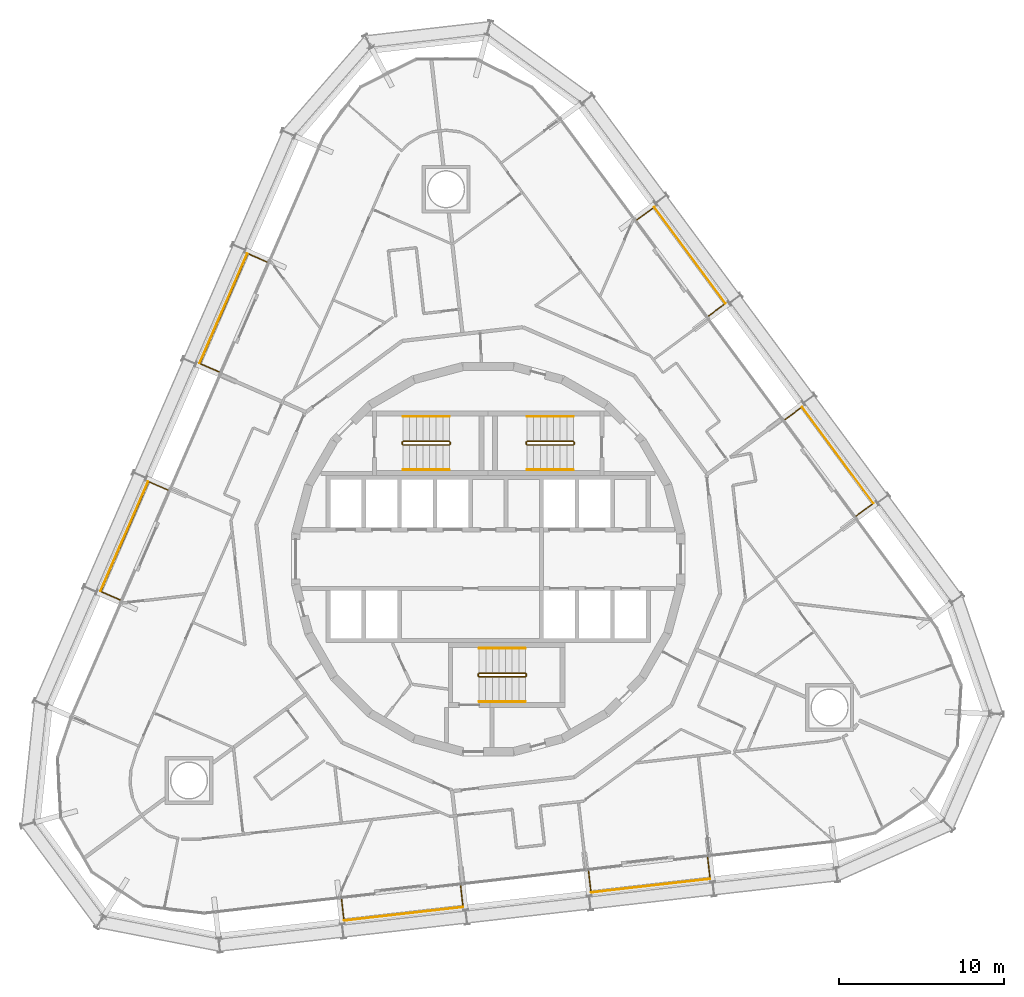
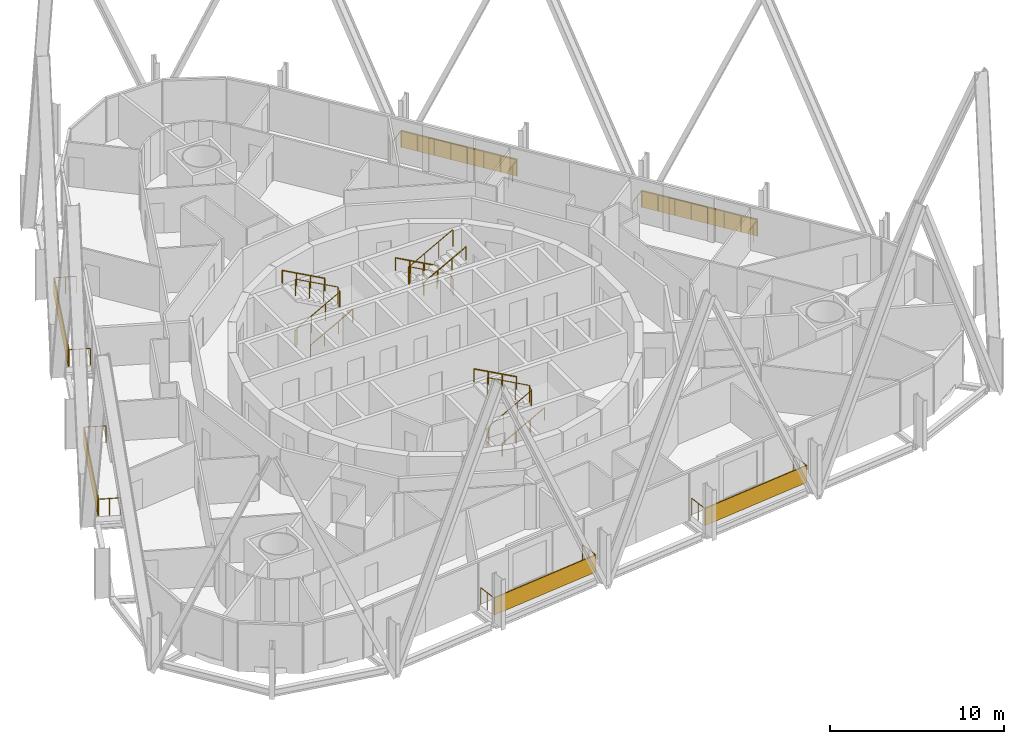
# One storey, part 23 of 23: 15 railings, 6 shading devices.
"""IFC4 building model written with IfcOpenShell, lengths in metres."""

from ifc_helpers import new_model, si_unit, direction, frame, origin, origin_2d, place, context, subcontext, project, spatial, rectangle, circle, extrude, material, layer, layer_set, type_object, element, save


model = new_model("IFC4")

# Units and contexts
model_context = context("Model", 3, precision=1e-05, world=origin(), true_north=direction((0.0, 1.0)))
body_context = subcontext(model_context, "Body", "Model", "MODEL_VIEW")
ifc_project = project(units=[si_unit("LENGTHUNIT", "METRE"), si_unit("AREAUNIT", "SQUARE_METRE"), si_unit("VOLUMEUNIT", "CUBIC_METRE"), si_unit("PLANEANGLEUNIT", "RADIAN"), si_unit("MASSUNIT", "GRAM", prefix="KILO")], contexts=[model_context])

# Site, building, storey
site_placement = place(None, origin())
site = spatial("IfcSite", under=ifc_project, at=site_placement, CompositionType="ELEMENT")
building_placement = place(site_placement, origin())
building = spatial("IfcBuilding", under=site, at=building_placement, Name="Spindle Arch Residences", CompositionType="ELEMENT")
storey_placement = place(building_placement, frame((0.0, 0.0, 90.699951171875)))
storey = spatial("IfcBuildingStorey", under=building, at=storey_placement, Name="L21", CompositionType="ELEMENT", Elevation=90.699951171875)

# Railings
ifc_material_1 = material(Name="Bronze anodised aluminium guard with glass infill", Category="aluminium")
railing_type_1 = type_object("IfcRailingType", Name="Balcony guard 1200", PredefinedType="GUARDRAIL", material=ifc_material_1)
railing_1_placement = place(storey_placement, frame((6.07080078125, -18.881591796875, 0.0)))
element("IfcRailing", 1, at=railing_1_placement, inside=storey, type_object=railing_type_1, Name="Guard L21 bay 1", PredefinedType="GUARDRAIL", context=body_context, shape_type="SweptSolid", body=[
    extrude(circle(Radius=0.02392578125, at=origin_2d()), frame((0.0, 0.0, 1.17578125), z_axis=(0.11328218126, -0.993562855289, 0.0), x_axis=(0.993562855289, 0.11328218126, 0.0)), (0.0, 0.0, 1.0), 1.25),
    extrude(circle(Radius=0.02392578125, at=origin_2d()), frame((0.1416015625, -1.241943359375, 1.17578125), z_axis=(0.993572236179, 0.113199874095, 0.0), x_axis=(-0.113199874095, 0.993572236179, 0.0)), (0.0, 0.0, 1.0), 7.248779296875),
    extrude(circle(Radius=0.02392578125, at=origin_2d()), frame((7.34375, -0.42138671875, 1.17578125), z_axis=(-0.113089367196, 0.993584820248, 0.0), x_axis=(-0.993584820248, -0.113089367196, 0.0)), (0.0, 0.0, 1.0), 1.25),
    extrude(circle(Radius=0.02099609375, at=origin_2d()), origin(), (0.0, 0.0, 1.0), 1.15185546875),
    extrude(circle(Radius=0.02099609375, at=origin_2d()), frame((0.07080078125, -0.62109375, 0.0)), (0.0, 0.0, 1.0), 1.15185546875),
    extrude(circle(Radius=0.02099609375, at=origin_2d()), frame((0.1416015625, -1.241943359375, 0.0)), (0.0, 0.0, 1.0), 1.15185546875),
    extrude(circle(Radius=0.02099609375, at=origin_2d()), frame((1.17041015625, -1.124755859375, 0.0)), (0.0, 0.0, 1.0), 1.15185546875),
    extrude(circle(Radius=0.02099609375, at=origin_2d()), frame((2.199462890625, -1.007568359375, 0.0)), (0.0, 0.0, 1.0), 1.15185546875),
    extrude(circle(Radius=0.02099609375, at=origin_2d()), frame((3.228271484375, -0.890380859375, 0.0)), (0.0, 0.0, 1.0), 1.15185546875),
    extrude(circle(Radius=0.02099609375, at=origin_2d()), frame((4.257080078125, -0.77294921875, 0.0)), (0.0, 0.0, 1.0), 1.15185546875),
    extrude(circle(Radius=0.02099609375, at=origin_2d()), frame((5.285888671875, -0.65576171875, 0.0)), (0.0, 0.0, 1.0), 1.15185546875),
    extrude(circle(Radius=0.02099609375, at=origin_2d()), frame((6.31494140625, -0.53857421875, 0.0)), (0.0, 0.0, 1.0), 1.15185546875),
    extrude(circle(Radius=0.02099609375, at=origin_2d()), frame((7.34375, -0.42138671875, 0.0)), (0.0, 0.0, 1.0), 1.15185546875),
    extrude(circle(Radius=0.02099609375, at=origin_2d()), frame((7.27294921875, 0.19970703125, 0.0)), (0.0, 0.0, 1.0), 1.15185546875),
    extrude(circle(Radius=0.02099609375, at=origin_2d()), frame((7.202392578125, 0.820556640625, 0.0)), (0.0, 0.0, 1.0), 1.15185546875),
])
railing_2_placement = place(storey_placement, frame((22.26123046875, 2.6103515625, 0.0)))
element("IfcRailing", 2, at=railing_2_placement, inside=storey, type_object=railing_type_1, Name="Guard L21 bay 7", PredefinedType="GUARDRAIL", context=body_context, shape_type="SweptSolid", body=[
    extrude(circle(Radius=0.02392578125, at=origin_2d()), frame((0.0, 0.0, 1.17578125), z_axis=(0.803920341668, 0.594736987459, 0.0), x_axis=(-0.594736987459, 0.803920341668, 0.0)), (0.0, 0.0, 1.0), 1.25),
    extrude(circle(Radius=0.02392578125, at=origin_2d()), frame((1.0048828125, 0.743408203125, 1.17578125), z_axis=(-0.594814278624, 0.803863156231, 0.0), x_axis=(-0.803863156231, -0.594814278624, 0.0)), (0.0, 0.0, 1.0), 7.2490234375),
    extrude(circle(Radius=0.02392578125, at=origin_2d()), frame((-3.306884765625, 6.570556640625, 1.17578125), z_axis=(-0.803826957932, -0.594863195787, 0.0), x_axis=(0.594863195787, -0.803826957932, 0.0)), (0.0, 0.0, 1.0), 1.250244140625),
    extrude(circle(Radius=0.02099609375, at=origin_2d()), origin(), (0.0, 0.0, 1.0), 1.15185546875),
    extrude(circle(Radius=0.02099609375, at=origin_2d()), frame((0.50244140625, 0.37158203125, 0.0)), (0.0, 0.0, 1.0), 1.15185546875),
    extrude(circle(Radius=0.02099609375, at=origin_2d()), frame((1.0048828125, 0.743408203125, 0.0)), (0.0, 0.0, 1.0), 1.15185546875),
    extrude(circle(Radius=0.02099609375, at=origin_2d()), frame((0.388916015625, 1.575927734375, 0.0)), (0.0, 0.0, 1.0), 1.15185546875),
    extrude(circle(Radius=0.02099609375, at=origin_2d()), frame((-0.22705078125, 2.408203125, 0.0)), (0.0, 0.0, 1.0), 1.15185546875),
    extrude(circle(Radius=0.02099609375, at=origin_2d()), frame((-0.843017578125, 3.24072265625, 0.0)), (0.0, 0.0, 1.0), 1.15185546875),
    extrude(circle(Radius=0.02099609375, at=origin_2d()), frame((-1.458984375, 4.0732421875, 0.0)), (0.0, 0.0, 1.0), 1.15185546875),
    extrude(circle(Radius=0.02099609375, at=origin_2d()), frame((-2.074951171875, 4.90576171875, 0.0)), (0.0, 0.0, 1.0), 1.15185546875),
    extrude(circle(Radius=0.02099609375, at=origin_2d()), frame((-2.69091796875, 5.738037109375, 0.0)), (0.0, 0.0, 1.0), 1.15185546875),
    extrude(circle(Radius=0.02099609375, at=origin_2d()), frame((-3.306884765625, 6.570556640625, 0.0)), (0.0, 0.0, 1.0), 1.15185546875),
    extrude(circle(Radius=0.02099609375, at=origin_2d()), frame((-3.809326171875, 6.19873046875, 0.0)), (0.0, 0.0, 1.0), 1.15185546875),
    extrude(circle(Radius=0.02099609375, at=origin_2d()), frame((-4.311767578125, 5.826904296875, 0.0)), (0.0, 0.0, 1.0), 1.15185546875),
])
railing_3_placement = place(storey_placement, frame((13.316650390625, 14.698486328125, 0.0)))
element("IfcRailing", 3, at=railing_3_placement, inside=storey, type_object=railing_type_1, Name="Guard L21 bay 9", PredefinedType="GUARDRAIL", context=body_context, shape_type="SweptSolid", body=[
    extrude(circle(Radius=0.02392578125, at=origin_2d()), frame((0.0, 0.0, 1.17578125), z_axis=(0.803851239792, 0.594830382786, 0.0), x_axis=(-0.594830382786, 0.803851239792, 0.0)), (0.0, 0.0, 1.0), 1.249755859375),
    extrude(circle(Radius=0.02392578125, at=origin_2d()), frame((1.004638671875, 0.743408203125, 1.17578125), z_axis=(-0.594830382786, 0.803851239792, 0.0), x_axis=(-0.803851239792, -0.594830382786, 0.0)), (0.0, 0.0, 1.0), 7.248779296875),
    extrude(circle(Radius=0.02392578125, at=origin_2d()), frame((-3.30712890625, 6.5703125, 1.17578125), z_axis=(-0.803851239792, -0.594830382786, 0.0), x_axis=(0.594830382786, -0.803851239792, 0.0)), (0.0, 0.0, 1.0), 1.249755859375),
    extrude(circle(Radius=0.02099609375, at=origin_2d()), origin(), (0.0, 0.0, 1.0), 1.15185546875),
    extrude(circle(Radius=0.02099609375, at=origin_2d()), frame((0.50244140625, 0.37158203125, 0.0)), (0.0, 0.0, 1.0), 1.15185546875),
    extrude(circle(Radius=0.02099609375, at=origin_2d()), frame((1.004638671875, 0.743408203125, 0.0)), (0.0, 0.0, 1.0), 1.15185546875),
    extrude(circle(Radius=0.02099609375, at=origin_2d()), frame((0.388671875, 1.575927734375, 0.0)), (0.0, 0.0, 1.0), 1.15185546875),
    extrude(circle(Radius=0.02099609375, at=origin_2d()), frame((-0.227294921875, 2.408203125, 0.0)), (0.0, 0.0, 1.0), 1.15185546875),
    extrude(circle(Radius=0.02099609375, at=origin_2d()), frame((-0.84326171875, 3.24072265625, 0.0)), (0.0, 0.0, 1.0), 1.15185546875),
    extrude(circle(Radius=0.02099609375, at=origin_2d()), frame((-1.459228515625, 4.072998046875, 0.0)), (0.0, 0.0, 1.0), 1.15185546875),
    extrude(circle(Radius=0.02099609375, at=origin_2d()), frame((-2.0751953125, 4.905517578125, 0.0)), (0.0, 0.0, 1.0), 1.15185546875),
    extrude(circle(Radius=0.02099609375, at=origin_2d()), frame((-2.691162109375, 5.73779296875, 0.0)), (0.0, 0.0, 1.0), 1.15185546875),
    extrude(circle(Radius=0.02099609375, at=origin_2d()), frame((-3.30712890625, 6.5703125, 0.0)), (0.0, 0.0, 1.0), 1.15185546875),
    extrude(circle(Radius=0.02099609375, at=origin_2d()), frame((-3.8095703125, 6.19873046875, 0.0)), (0.0, 0.0, 1.0), 1.15185546875),
    extrude(circle(Radius=0.02099609375, at=origin_2d()), frame((-4.311767578125, 5.826904296875, 0.0)), (0.0, 0.0, 1.0), 1.15185546875),
])
railing_4_placement = place(storey_placement, frame((-13.39111328125, 17.9736328125, 0.0)))
element("IfcRailing", 4, at=railing_4_placement, inside=storey, type_object=railing_type_1, Name="Guard L21 bay 15", PredefinedType="GUARDRAIL", context=body_context, shape_type="SweptSolid", body=[
    extrude(circle(Radius=0.02392578125, at=origin_2d()), frame((0.0, 0.0, 1.17578125), z_axis=(-0.917051427253, 0.398768955377, 0.0), x_axis=(-0.398768955377, -0.917051427253, 0.0)), (0.0, 0.0, 1.0), 1.250244140625),
    extrude(circle(Radius=0.02392578125, at=origin_2d()), frame((-1.146484375, 0.49853515625, 1.17578125), z_axis=(-0.398734732131, -0.917066308067, 0.0), x_axis=(0.917066308067, -0.398734732131, 0.0)), (0.0, 0.0, 1.0), 7.248779296875),
    extrude(circle(Radius=0.02392578125, at=origin_2d()), frame((-4.036865234375, -6.149169921875, 1.17578125), z_axis=(0.917091793142, -0.398676112844, 0.0), x_axis=(0.398676112844, 0.917091793142, 0.0)), (0.0, 0.0, 1.0), 1.249755859375),
    extrude(circle(Radius=0.02099609375, at=origin_2d()), origin(), (0.0, 0.0, 1.0), 1.15185546875),
    extrude(circle(Radius=0.02099609375, at=origin_2d()), frame((-0.5732421875, 0.249267578125, 0.0)), (0.0, 0.0, 1.0), 1.15185546875),
    extrude(circle(Radius=0.02099609375, at=origin_2d()), frame((-1.146484375, 0.49853515625, 0.0)), (0.0, 0.0, 1.0), 1.15185546875),
    extrude(circle(Radius=0.02099609375, at=origin_2d()), frame((-1.559326171875, -0.451171875, 0.0)), (0.0, 0.0, 1.0), 1.15185546875),
    extrude(circle(Radius=0.02099609375, at=origin_2d()), frame((-1.972412109375, -1.40087890625, 0.0)), (0.0, 0.0, 1.0), 1.15185546875),
    extrude(circle(Radius=0.02099609375, at=origin_2d()), frame((-2.38525390625, -2.3505859375, 0.0)), (0.0, 0.0, 1.0), 1.15185546875),
    extrude(circle(Radius=0.02099609375, at=origin_2d()), frame((-2.798095703125, -3.300048828125, 0.0)), (0.0, 0.0, 1.0), 1.15185546875),
    extrude(circle(Radius=0.02099609375, at=origin_2d()), frame((-3.2109375, -4.249755859375, 0.0)), (0.0, 0.0, 1.0), 1.15185546875),
    extrude(circle(Radius=0.02099609375, at=origin_2d()), frame((-3.6240234375, -5.199462890625, 0.0)), (0.0, 0.0, 1.0), 1.15185546875),
    extrude(circle(Radius=0.02099609375, at=origin_2d()), frame((-4.036865234375, -6.149169921875, 0.0)), (0.0, 0.0, 1.0), 1.15185546875),
    extrude(circle(Radius=0.02099609375, at=origin_2d()), frame((-3.4638671875, -6.3984375, 0.0)), (0.0, 0.0, 1.0), 1.15185546875),
    extrude(circle(Radius=0.02099609375, at=origin_2d()), frame((-2.890625, -6.6474609375, 0.0)), (0.0, 0.0, 1.0), 1.15185546875),
])
railing_5_placement = place(storey_placement, frame((-19.387451171875, 4.183349609375, 0.0)))
element("IfcRailing", 5, at=railing_5_placement, inside=storey, type_object=railing_type_1, Name="Guard L21 bay 17", PredefinedType="GUARDRAIL", context=body_context, shape_type="SweptSolid", body=[
    extrude(circle(Radius=0.02392578125, at=origin_2d()), frame((0.0, 0.0, 1.17578125), z_axis=(-0.917091793142, 0.398676112844, 0.0), x_axis=(-0.398676112844, -0.917091793142, 0.0)), (0.0, 0.0, 1.0), 1.249755859375),
    extrude(circle(Radius=0.02392578125, at=origin_2d()), frame((-1.146240234375, 0.498291015625, 1.17578125), z_axis=(-0.39877537304, -0.917048636582, 0.0), x_axis=(0.917048636582, -0.39877537304, 0.0)), (0.0, 0.0, 1.0), 7.248779296875),
    extrude(circle(Radius=0.02392578125, at=origin_2d()), frame((-4.036865234375, -6.149169921875, 1.17578125), z_axis=(0.917051427253, -0.398768955377, 0.0), x_axis=(0.398768955377, 0.917051427253, 0.0)), (0.0, 0.0, 1.0), 1.250244140625),
    extrude(circle(Radius=0.02099609375, at=origin_2d()), origin(), (0.0, 0.0, 1.0), 1.15185546875),
    extrude(circle(Radius=0.02099609375, at=origin_2d()), frame((-0.5732421875, 0.2490234375, 0.0)), (0.0, 0.0, 1.0), 1.15185546875),
    extrude(circle(Radius=0.02099609375, at=origin_2d()), frame((-1.146240234375, 0.498291015625, 0.0)), (0.0, 0.0, 1.0), 1.15185546875),
    extrude(circle(Radius=0.02099609375, at=origin_2d()), frame((-1.55908203125, -0.451416015625, 0.0)), (0.0, 0.0, 1.0), 1.15185546875),
    extrude(circle(Radius=0.02099609375, at=origin_2d()), frame((-1.97216796875, -1.40087890625, 0.0)), (0.0, 0.0, 1.0), 1.15185546875),
    extrude(circle(Radius=0.02099609375, at=origin_2d()), frame((-2.385009765625, -2.3505859375, 0.0)), (0.0, 0.0, 1.0), 1.15185546875),
    extrude(circle(Radius=0.02099609375, at=origin_2d()), frame((-2.798095703125, -3.30029296875, 0.0)), (0.0, 0.0, 1.0), 1.15185546875),
    extrude(circle(Radius=0.02099609375, at=origin_2d()), frame((-3.2109375, -4.25, 0.0)), (0.0, 0.0, 1.0), 1.15185546875),
    extrude(circle(Radius=0.02099609375, at=origin_2d()), frame((-3.6240234375, -5.199462890625, 0.0)), (0.0, 0.0, 1.0), 1.15185546875),
    extrude(circle(Radius=0.02099609375, at=origin_2d()), frame((-4.036865234375, -6.149169921875, 0.0)), (0.0, 0.0, 1.0), 1.15185546875),
    extrude(circle(Radius=0.02099609375, at=origin_2d()), frame((-3.463623046875, -6.3984375, 0.0)), (0.0, 0.0, 1.0), 1.15185546875),
    extrude(circle(Radius=0.02099609375, at=origin_2d()), frame((-2.890380859375, -6.647705078125, 0.0)), (0.0, 0.0, 1.0), 1.15185546875),
])
railing_6_placement = place(storey_placement, frame((-8.8701171875, -20.583984375, 0.0)))
element("IfcRailing", 6, at=railing_6_placement, inside=storey, type_object=railing_type_1, Name="Guard L21 bay 23", PredefinedType="GUARDRAIL", context=body_context, shape_type="SweptSolid", body=[
    extrude(circle(Radius=0.02392578125, at=origin_2d()), frame((0.0, 0.0, 1.17578125), z_axis=(0.11328218126, -0.993562855289, 0.0), x_axis=(0.993562855289, 0.11328218126, 0.0)), (0.0, 0.0, 1.0), 1.25),
    extrude(circle(Radius=0.02392578125, at=origin_2d()), frame((0.1416015625, -1.241943359375, 1.17578125), z_axis=(0.993572236179, 0.113199874095, 0.0), x_axis=(-0.113199874095, 0.993572236179, 0.0)), (0.0, 0.0, 1.0), 7.248779296875),
    extrude(circle(Radius=0.02392578125, at=origin_2d()), frame((7.34375, -0.42138671875, 1.17578125), z_axis=(-0.11328218126, 0.993562855289, 0.0), x_axis=(-0.993562855289, -0.11328218126, 0.0)), (0.0, 0.0, 1.0), 1.25),
    extrude(circle(Radius=0.02099609375, at=origin_2d()), origin(), (0.0, 0.0, 1.0), 1.15185546875),
    extrude(circle(Radius=0.02099609375, at=origin_2d()), frame((0.07080078125, -0.62109375, 0.0)), (0.0, 0.0, 1.0), 1.15185546875),
    extrude(circle(Radius=0.02099609375, at=origin_2d()), frame((0.1416015625, -1.241943359375, 0.0)), (0.0, 0.0, 1.0), 1.15185546875),
    extrude(circle(Radius=0.02099609375, at=origin_2d()), frame((1.17041015625, -1.124755859375, 0.0)), (0.0, 0.0, 1.0), 1.15185546875),
    extrude(circle(Radius=0.02099609375, at=origin_2d()), frame((2.199462890625, -1.007568359375, 0.0)), (0.0, 0.0, 1.0), 1.15185546875),
    extrude(circle(Radius=0.02099609375, at=origin_2d()), frame((3.228271484375, -0.890380859375, 0.0)), (0.0, 0.0, 1.0), 1.15185546875),
    extrude(circle(Radius=0.02099609375, at=origin_2d()), frame((4.257080078125, -0.77294921875, 0.0)), (0.0, 0.0, 1.0), 1.15185546875),
    extrude(circle(Radius=0.02099609375, at=origin_2d()), frame((5.285888671875, -0.65576171875, 0.0)), (0.0, 0.0, 1.0), 1.15185546875),
    extrude(circle(Radius=0.02099609375, at=origin_2d()), frame((6.31494140625, -0.53857421875, 0.0)), (0.0, 0.0, 1.0), 1.15185546875),
    extrude(circle(Radius=0.02099609375, at=origin_2d()), frame((7.34375, -0.42138671875, 0.0)), (0.0, 0.0, 1.0), 1.15185546875),
    extrude(circle(Radius=0.02099609375, at=origin_2d()), frame((7.27294921875, 0.19970703125, 0.0)), (0.0, 0.0, 1.0), 1.15185546875),
    extrude(circle(Radius=0.02099609375, at=origin_2d()), frame((7.2021484375, 0.820556640625, 0.0)), (0.0, 0.0, 1.0), 1.15185546875),
])

# Shading devices
ifc_material_2 = material(Name="Bronze perforated cobogo screen")
ifc_layer = layer(ifc_material_2, 0.0390625)
ifc_layer_set = layer_set([ifc_layer], Name="Cobogo screen 1200")
shading_device_type = type_object("IfcShadingDeviceType", Name="Cobogo screen 1200", PredefinedType="USERDEFINED", material=ifc_layer_set)
for number, where, z_axis, x_axis, name in (
    (7, (9.818115234375, -19.753662109375, 0.0), (0.0, 0.0, 1.0), (0.993571855677, 0.113203213768, 0.0), "Cobogo screen L21 bay 1"),
    (8, (21.142822265625, 6.29150390625, 0.0), (0.0, 0.0, 1.0), (-0.594822786751, 0.803856860617, 0.0), "Cobogo screen L21 bay 7"),
    (9, (12.197998046875, 18.37939453125, 0.0), (0.0, 0.0, 1.0), (-0.594822786751, 0.803856860617, 0.0), "Cobogo screen L21 bay 9"),
    (10, (-16.019775390625, 15.16455078125, 0.0), (0.0, 0.0, 1.0), (-0.398749068925, -0.917060074385, 0.0), "Cobogo screen L21 bay 15"),
    (11, (-22.01611328125, 1.3740234375, 0.0), (0.0, 0.0, 1.0), (-0.398749068925, -0.917060074385, 0.0), "Cobogo screen L21 bay 17"),
    (12, (-5.122802734375, -21.455810546875, 0.0), (0.0, 0.0, 1.0), (0.993571855677, 0.113203213768, 0.0), "Cobogo screen L21 bay 23"),
):
    element("IfcShadingDevice", number, at=place(storey_placement, frame(where, z_axis=z_axis, x_axis=x_axis)), inside=storey, type_object=shading_device_type, Name=name, ObjectType="SCREEN", PredefinedType="USERDEFINED", context=body_context, shape_type="SweptSolid", body=[
        extrude(rectangle(XDim=7.248779296875, YDim=0.0390625, at=origin_2d()), origin(), (0.0, 0.0, 1.0), 1.199951171875),
    ])

# Railings
ifc_material_3 = material(Name="Steel, painted", Category="steel")
railing_type_2 = type_object("IfcRailingType", Name="Stair guard 1100", PredefinedType="GUARDRAIL", material=ifc_material_3)
railing_7_placement = place(storey_placement, frame((5.14990234375, 6.89990234375, 3.5)))
element("IfcRailing", 13, at=railing_7_placement, inside=storey, type_object=railing_type_2, Name="L21 ST1 stair guard 1", PredefinedType="GUARDRAIL", context=body_context, shape_type="SweptSolid", body=[
    extrude(circle(Radius=0.02392578125, at=origin_2d()), frame((0.0, 0.0, 1.17578125), z_axis=(-0.877357048833, 0.0, -0.479838106931), x_axis=(0.0, -1.0, 0.0)), (0.0, 0.0, 1.0), 3.191162109375),
    extrude(circle(Radius=0.02392578125, at=origin_2d()), frame((-2.7998046875, 0.0, -0.35546875), z_axis=(-0.217683172539, 0.217683172539, -0.951434744366), x_axis=(-0.707106781187, -0.707106781187, 0.0)), (0.0, 0.0, 1.0), 0.22998046875),
    extrude(circle(Radius=0.02392578125, at=origin_2d()), frame((-2.849853515625, 0.050048828125, -0.57421875), z_axis=(0.0, 1.0, 0.0), x_axis=(-1.0, 0.0, 0.0)), (0.0, 0.0, 1.0), 0.1201171875),
    extrude(circle(Radius=0.02392578125, at=origin_2d()), frame((-2.849853515625, 0.170166015625, -0.57421875), z_axis=(0.707106781187, 0.707106781187, 0.0), x_axis=(-0.707106781187, 0.707106781187, 0.0)), (0.0, 0.0, 1.0), 0.07080078125),
    extrude(circle(Radius=0.02392578125, at=origin_2d()), frame((-2.7998046875, 0.22021484375, -0.57421875), z_axis=(0.877357048833, 0.0, -0.479838106931), x_axis=(0.0, 1.0, 0.0)), (0.0, 0.0, 1.0), 3.191162109375),
    extrude(circle(Radius=0.02392578125, at=origin_2d()), frame((0.0, 0.22021484375, -2.10546875), z_axis=(0.217683172539, -0.217683172539, -0.951434744366), x_axis=(0.707106781187, 0.707106781187, 0.0)), (0.0, 0.0, 1.0), 0.22998046875),
    extrude(circle(Radius=0.02392578125, at=origin_2d()), frame((0.050048828125, 0.170166015625, -2.32421875), z_axis=(0.0, -1.0, 0.0), x_axis=(1.0, 0.0, 0.0)), (0.0, 0.0, 1.0), 0.1201171875),
    extrude(circle(Radius=0.02099609375, at=origin_2d()), origin(), (0.0, 0.0, 1.0), 1.15185546875),
    extrude(circle(Radius=0.02099609375, at=origin_2d()), frame((-0.933349609375, 0.0, -0.510498046875)), (0.0, 0.0, 1.0), 1.15185546875),
    extrude(circle(Radius=0.02099609375, at=origin_2d()), frame((-1.866455078125, 0.0, -1.020751953125)), (0.0, 0.0, 1.0), 1.15185546875),
    extrude(circle(Radius=0.02099609375, at=origin_2d()), frame((-2.7998046875, 0.0, -1.53125)), (0.0, 0.0, 1.0), 1.15185546875),
    extrude(circle(Radius=0.02099609375, at=origin_2d()), frame((-2.849853515625, 0.050048828125, -1.75)), (0.0, 0.0, 1.0), 1.15185546875),
    extrude(circle(Radius=0.02099609375, at=origin_2d()), frame((-2.849853515625, 0.170166015625, -1.75)), (0.0, 0.0, 1.0), 1.15185546875),
    extrude(circle(Radius=0.02099609375, at=origin_2d()), frame((-2.7998046875, 0.22021484375, -1.75)), (0.0, 0.0, 1.0), 1.15185546875),
    extrude(circle(Radius=0.02099609375, at=origin_2d()), frame((-1.866455078125, 0.22021484375, -2.260498046875)), (0.0, 0.0, 1.0), 1.15185546875),
    extrude(circle(Radius=0.02099609375, at=origin_2d()), frame((-0.933349609375, 0.22021484375, -2.770751953125)), (0.0, 0.0, 1.0), 1.15185546875),
    extrude(circle(Radius=0.02099609375, at=origin_2d()), frame((0.0, 0.22021484375, -3.28125)), (0.0, 0.0, 1.0), 1.15185546875),
    extrude(circle(Radius=0.02099609375, at=origin_2d()), frame((0.050048828125, 0.170166015625, -3.5)), (0.0, 0.0, 1.0), 1.15185546875),
    extrude(circle(Radius=0.02099609375, at=origin_2d()), frame((0.050048828125, 0.050048828125, -3.5)), (0.0, 0.0, 1.0), 1.15185546875),
])
railing_8_placement = place(storey_placement, frame((-5.14990234375, 7.1201171875, 3.5)))
element("IfcRailing", 14, at=railing_8_placement, inside=storey, type_object=railing_type_2, Name="L21 ST2 stair guard 1", PredefinedType="GUARDRAIL", context=body_context, shape_type="SweptSolid", body=[
    extrude(circle(Radius=0.02392578125, at=origin_2d()), frame((0.0, 0.0, 1.17578125), z_axis=(0.877357048833, 0.0, -0.479838106931), x_axis=(0.0, 1.0, 0.0)), (0.0, 0.0, 1.0), 3.191162109375),
    extrude(circle(Radius=0.02392578125, at=origin_2d()), frame((2.7998046875, 0.0, -0.35546875), z_axis=(0.217683172539, -0.217683172539, -0.951434744366), x_axis=(0.707106781187, 0.707106781187, 0.0)), (0.0, 0.0, 1.0), 0.22998046875),
    extrude(circle(Radius=0.02392578125, at=origin_2d()), frame((2.849853515625, -0.050048828125, -0.57421875), z_axis=(0.0, -1.0, 0.0), x_axis=(1.0, 0.0, 0.0)), (0.0, 0.0, 1.0), 0.1201171875),
    extrude(circle(Radius=0.02392578125, at=origin_2d()), frame((2.849853515625, -0.170166015625, -0.57421875), z_axis=(-0.707106781187, -0.707106781187, 0.0), x_axis=(0.707106781187, -0.707106781187, 0.0)), (0.0, 0.0, 1.0), 0.07080078125),
    extrude(circle(Radius=0.02392578125, at=origin_2d()), frame((2.7998046875, -0.22021484375, -0.57421875), z_axis=(-0.877357048833, 0.0, -0.479838106931), x_axis=(0.0, -1.0, 0.0)), (0.0, 0.0, 1.0), 3.191162109375),
    extrude(circle(Radius=0.02392578125, at=origin_2d()), frame((0.0, -0.22021484375, -2.10546875), z_axis=(-0.217683172539, 0.217683172539, -0.951434744366), x_axis=(-0.707106781187, -0.707106781187, 0.0)), (0.0, 0.0, 1.0), 0.22998046875),
    extrude(circle(Radius=0.02392578125, at=origin_2d()), frame((-0.050048828125, -0.170166015625, -2.32421875), z_axis=(0.0, 1.0, 0.0), x_axis=(-1.0, 0.0, 0.0)), (0.0, 0.0, 1.0), 0.1201171875),
    extrude(circle(Radius=0.02099609375, at=origin_2d()), origin(), (0.0, 0.0, 1.0), 1.15185546875),
    extrude(circle(Radius=0.02099609375, at=origin_2d()), frame((0.933349609375, 0.0, -0.510498046875)), (0.0, 0.0, 1.0), 1.15185546875),
    extrude(circle(Radius=0.02099609375, at=origin_2d()), frame((1.866455078125, 0.0, -1.020751953125)), (0.0, 0.0, 1.0), 1.15185546875),
    extrude(circle(Radius=0.02099609375, at=origin_2d()), frame((2.7998046875, 0.0, -1.53125)), (0.0, 0.0, 1.0), 1.15185546875),
    extrude(circle(Radius=0.02099609375, at=origin_2d()), frame((2.849853515625, -0.050048828125, -1.75)), (0.0, 0.0, 1.0), 1.15185546875),
    extrude(circle(Radius=0.02099609375, at=origin_2d()), frame((2.849853515625, -0.170166015625, -1.75)), (0.0, 0.0, 1.0), 1.15185546875),
    extrude(circle(Radius=0.02099609375, at=origin_2d()), frame((2.7998046875, -0.22021484375, -1.75)), (0.0, 0.0, 1.0), 1.15185546875),
    extrude(circle(Radius=0.02099609375, at=origin_2d()), frame((1.866455078125, -0.22021484375, -2.260498046875)), (0.0, 0.0, 1.0), 1.15185546875),
    extrude(circle(Radius=0.02099609375, at=origin_2d()), frame((0.933349609375, -0.22021484375, -2.770751953125)), (0.0, 0.0, 1.0), 1.15185546875),
    extrude(circle(Radius=0.02099609375, at=origin_2d()), frame((0.0, -0.22021484375, -3.28125)), (0.0, 0.0, 1.0), 1.15185546875),
    extrude(circle(Radius=0.02099609375, at=origin_2d()), frame((-0.050048828125, -0.170166015625, -3.5)), (0.0, 0.0, 1.0), 1.15185546875),
    extrude(circle(Radius=0.02099609375, at=origin_2d()), frame((-0.050048828125, -0.050048828125, -3.5)), (0.0, 0.0, 1.0), 1.15185546875),
])
railing_9_placement = place(storey_placement, frame((-0.550048828125, -6.89990234375, 3.5)))
element("IfcRailing", 15, at=railing_9_placement, inside=storey, type_object=railing_type_2, Name="L21 ST3 stair guard 1", PredefinedType="GUARDRAIL", context=body_context, shape_type="SweptSolid", body=[
    extrude(circle(Radius=0.02392578125, at=origin_2d()), frame((0.0, 0.0, 1.17578125), z_axis=(0.877374661878, 0.0, -0.479805901063), x_axis=(0.0, 1.0, 0.0)), (0.0, 0.0, 1.0), 3.19140625),
    extrude(circle(Radius=0.02392578125, at=origin_2d()), frame((2.800048828125, 0.0, -0.35546875), z_axis=(0.217683172539, -0.217683172539, -0.951434744366), x_axis=(0.707106781187, 0.707106781187, 0.0)), (0.0, 0.0, 1.0), 0.22998046875),
    extrude(circle(Radius=0.02392578125, at=origin_2d()), frame((2.85009765625, -0.050048828125, -0.57421875), z_axis=(0.0, -1.0, 0.0), x_axis=(1.0, 0.0, 0.0)), (0.0, 0.0, 1.0), 0.1201171875),
    extrude(circle(Radius=0.02392578125, at=origin_2d()), frame((2.85009765625, -0.170166015625, -0.57421875), z_axis=(-0.707106781187, -0.707106781187, 0.0), x_axis=(0.707106781187, -0.707106781187, 0.0)), (0.0, 0.0, 1.0), 0.07080078125),
    extrude(circle(Radius=0.02392578125, at=origin_2d()), frame((2.800048828125, -0.22021484375, -0.57421875), z_axis=(-0.877374661878, 0.0, -0.479805901063), x_axis=(0.0, -1.0, 0.0)), (0.0, 0.0, 1.0), 3.19140625),
    extrude(circle(Radius=0.02392578125, at=origin_2d()), frame((0.0, -0.22021484375, -2.10546875), z_axis=(-0.217683172539, 0.217683172539, -0.951434744366), x_axis=(-0.707106781187, -0.707106781187, 0.0)), (0.0, 0.0, 1.0), 0.22998046875),
    extrude(circle(Radius=0.02392578125, at=origin_2d()), frame((-0.050048828125, -0.170166015625, -2.32421875), z_axis=(0.0, 1.0, 0.0), x_axis=(-1.0, 0.0, 0.0)), (0.0, 0.0, 1.0), 0.1201171875),
    extrude(circle(Radius=0.02099609375, at=origin_2d()), origin(), (0.0, 0.0, 1.0), 1.15185546875),
    extrude(circle(Radius=0.02099609375, at=origin_2d()), frame((0.933349609375, 0.0, -0.510498046875)), (0.0, 0.0, 1.0), 1.15185546875),
    extrude(circle(Radius=0.02099609375, at=origin_2d()), frame((1.86669921875, 0.0, -1.020751953125)), (0.0, 0.0, 1.0), 1.15185546875),
    extrude(circle(Radius=0.02099609375, at=origin_2d()), frame((2.800048828125, 0.0, -1.53125)), (0.0, 0.0, 1.0), 1.15185546875),
    extrude(circle(Radius=0.02099609375, at=origin_2d()), frame((2.85009765625, -0.050048828125, -1.75)), (0.0, 0.0, 1.0), 1.15185546875),
    extrude(circle(Radius=0.02099609375, at=origin_2d()), frame((2.85009765625, -0.170166015625, -1.75)), (0.0, 0.0, 1.0), 1.15185546875),
    extrude(circle(Radius=0.02099609375, at=origin_2d()), frame((2.800048828125, -0.22021484375, -1.75)), (0.0, 0.0, 1.0), 1.15185546875),
    extrude(circle(Radius=0.02099609375, at=origin_2d()), frame((1.86669921875, -0.22021484375, -2.260498046875)), (0.0, 0.0, 1.0), 1.15185546875),
    extrude(circle(Radius=0.02099609375, at=origin_2d()), frame((0.933349609375, -0.22021484375, -2.770751953125)), (0.0, 0.0, 1.0), 1.15185546875),
    extrude(circle(Radius=0.02099609375, at=origin_2d()), frame((0.0, -0.22021484375, -3.28125)), (0.0, 0.0, 1.0), 1.15185546875),
    extrude(circle(Radius=0.02099609375, at=origin_2d()), frame((-0.050048828125, -0.170166015625, -3.5)), (0.0, 0.0, 1.0), 1.15185546875),
    extrude(circle(Radius=0.02099609375, at=origin_2d()), frame((-0.050048828125, -0.050048828125, -3.5)), (0.0, 0.0, 1.0), 1.15185546875),
])
ifc_material_4 = material(Name="Steel, painted", Category="steel")
railing_type_3 = type_object("IfcRailingType", Name="Stair handrail 900", PredefinedType="HANDRAIL", material=ifc_material_4)
railing_10_placement = place(storey_placement, frame((5.14990234375, 8.6201171875, 0.21875)))
element("IfcRailing", 16, at=railing_10_placement, inside=storey, type_object=railing_type_3, Name="L21 ST1 stair handrail 1", PredefinedType="HANDRAIL", context=body_context, shape_type="SweptSolid", body=[
    extrude(circle(Radius=0.02392578125, at=origin_2d()), frame((0.0, 0.0, 0.8759765625), z_axis=(-0.877357048833, 0.0, 0.479838106931), x_axis=(0.0, -1.0, 0.0)), (0.0, 0.0, 1.0), 3.191162109375),
    extrude(circle(Radius=0.02099609375, at=origin_2d()), origin(), (0.0, 0.0, 1.0), 0.851806640625),
    extrude(circle(Radius=0.02099609375, at=origin_2d()), frame((-0.933349609375, 0.0, 0.510498046875)), (0.0, 0.0, 1.0), 0.851806640625),
    extrude(circle(Radius=0.02099609375, at=origin_2d()), frame((-1.866455078125, 0.0, 1.020751953125)), (0.0, 0.0, 1.0), 0.851806640625),
    extrude(circle(Radius=0.02099609375, at=origin_2d()), frame((-2.7998046875, 0.0, 1.53125)), (0.0, 0.0, 1.0), 0.851806640625),
])
for number, where, name in (
    (17, (2.35009765625, 5.39990234375, 1.96875), "L21 ST1 stair handrail 2"),
    (18, (-5.14990234375, 5.39990234375, 0.21875), "L21 ST2 stair handrail 1"),
):
    element("IfcRailing", number, at=place(storey_placement, frame(where)), inside=storey, type_object=railing_type_3, Name=name, PredefinedType="HANDRAIL", context=body_context, shape_type="SweptSolid", body=[
        extrude(circle(Radius=0.02392578125, at=origin_2d()), frame((0.0, 0.0, 0.8759765625), z_axis=(0.877357048833, 0.0, 0.479838106931), x_axis=(0.0, 1.0, 0.0)), (0.0, 0.0, 1.0), 3.191162109375),
        extrude(circle(Radius=0.02099609375, at=origin_2d()), origin(), (0.0, 0.0, 1.0), 0.851806640625),
        extrude(circle(Radius=0.02099609375, at=origin_2d()), frame((0.933349609375, 0.0, 0.510498046875)), (0.0, 0.0, 1.0), 0.851806640625),
        extrude(circle(Radius=0.02099609375, at=origin_2d()), frame((1.866455078125, 0.0, 1.020751953125)), (0.0, 0.0, 1.0), 0.851806640625),
        extrude(circle(Radius=0.02099609375, at=origin_2d()), frame((2.7998046875, 0.0, 1.53125)), (0.0, 0.0, 1.0), 0.851806640625),
    ])
railing_11_placement = place(storey_placement, frame((-2.35009765625, 8.6201171875, 1.96875)))
element("IfcRailing", 19, at=railing_11_placement, inside=storey, type_object=railing_type_3, Name="L21 ST2 stair handrail 2", PredefinedType="HANDRAIL", context=body_context, shape_type="SweptSolid", body=[
    extrude(circle(Radius=0.02392578125, at=origin_2d()), frame((0.0, 0.0, 0.8759765625), z_axis=(-0.877357048833, 0.0, 0.479838106931), x_axis=(0.0, -1.0, 0.0)), (0.0, 0.0, 1.0), 3.191162109375),
    extrude(circle(Radius=0.02099609375, at=origin_2d()), origin(), (0.0, 0.0, 1.0), 0.851806640625),
    extrude(circle(Radius=0.02099609375, at=origin_2d()), frame((-0.933349609375, 0.0, 0.510498046875)), (0.0, 0.0, 1.0), 0.851806640625),
    extrude(circle(Radius=0.02099609375, at=origin_2d()), frame((-1.866455078125, 0.0, 1.020751953125)), (0.0, 0.0, 1.0), 0.851806640625),
    extrude(circle(Radius=0.02099609375, at=origin_2d()), frame((-2.7998046875, 0.0, 1.53125)), (0.0, 0.0, 1.0), 0.851806640625),
])
railing_12_placement = place(storey_placement, frame((-0.550048828125, -8.6201171875, 0.21875)))
element("IfcRailing", 20, at=railing_12_placement, inside=storey, type_object=railing_type_3, Name="L21 ST3 stair handrail 1", PredefinedType="HANDRAIL", context=body_context, shape_type="SweptSolid", body=[
    extrude(circle(Radius=0.02392578125, at=origin_2d()), frame((0.0, 0.0, 0.8759765625), z_axis=(0.877374661878, 0.0, 0.479805901063), x_axis=(0.0, 1.0, 0.0)), (0.0, 0.0, 1.0), 3.19140625),
    extrude(circle(Radius=0.02099609375, at=origin_2d()), origin(), (0.0, 0.0, 1.0), 0.851806640625),
    extrude(circle(Radius=0.02099609375, at=origin_2d()), frame((0.933349609375, 0.0, 0.510498046875)), (0.0, 0.0, 1.0), 0.851806640625),
    extrude(circle(Radius=0.02099609375, at=origin_2d()), frame((1.86669921875, 0.0, 1.020751953125)), (0.0, 0.0, 1.0), 0.851806640625),
    extrude(circle(Radius=0.02099609375, at=origin_2d()), frame((2.800048828125, 0.0, 1.53125)), (0.0, 0.0, 1.0), 0.851806640625),
])
railing_13_placement = place(storey_placement, frame((2.25, -5.39990234375, 1.96875)))
element("IfcRailing", 21, at=railing_13_placement, inside=storey, type_object=railing_type_3, Name="L21 ST3 stair handrail 2", PredefinedType="HANDRAIL", context=body_context, shape_type="SweptSolid", body=[
    extrude(circle(Radius=0.02392578125, at=origin_2d()), frame((0.0, 0.0, 0.8759765625), z_axis=(-0.877374661878, 0.0, 0.479805901063), x_axis=(0.0, -1.0, 0.0)), (0.0, 0.0, 1.0), 3.19140625),
    extrude(circle(Radius=0.02099609375, at=origin_2d()), origin(), (0.0, 0.0, 1.0), 0.851806640625),
    extrude(circle(Radius=0.02099609375, at=origin_2d()), frame((-0.933349609375, 0.0, 0.510498046875)), (0.0, 0.0, 1.0), 0.851806640625),
    extrude(circle(Radius=0.02099609375, at=origin_2d()), frame((-1.86669921875, 0.0, 1.020751953125)), (0.0, 0.0, 1.0), 0.851806640625),
    extrude(circle(Radius=0.02099609375, at=origin_2d()), frame((-2.800048828125, 0.0, 1.53125)), (0.0, 0.0, 1.0), 0.851806640625),
])

save(model, "model.ifc")
